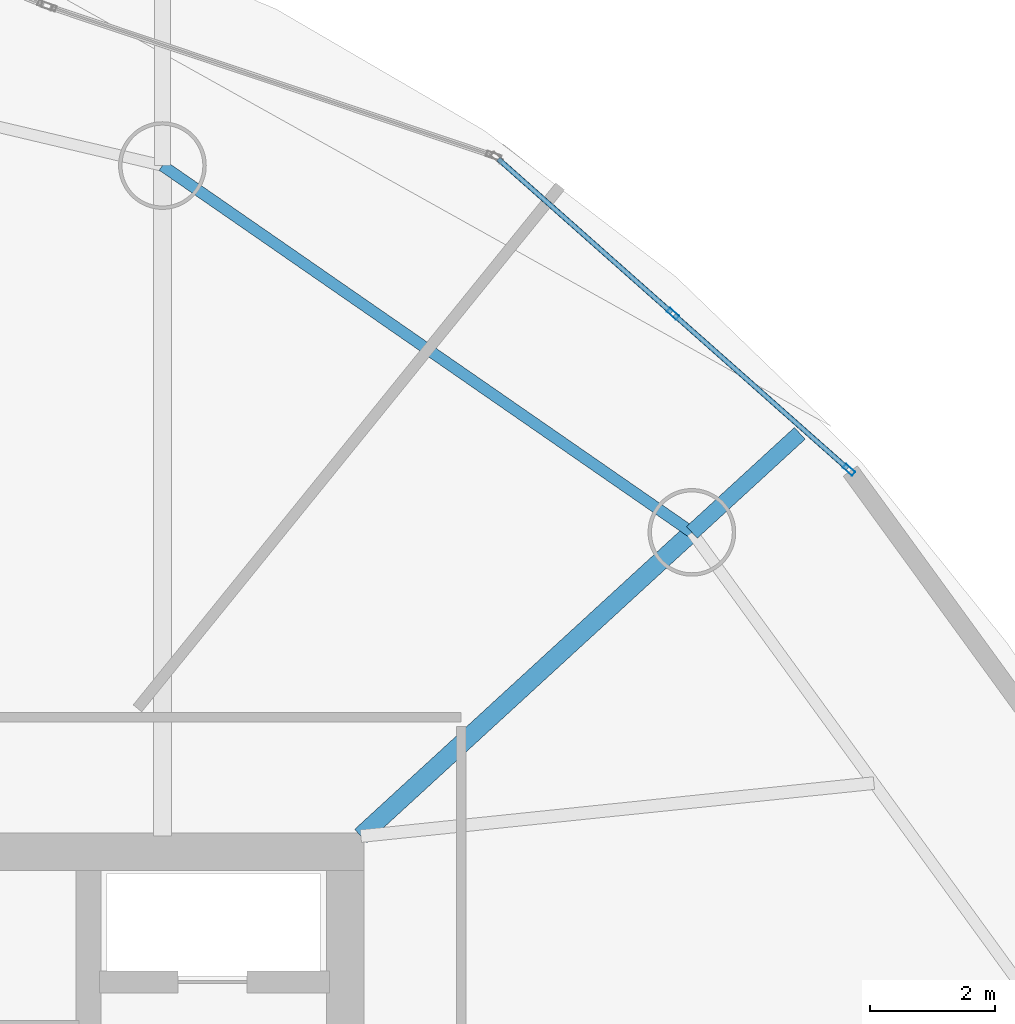
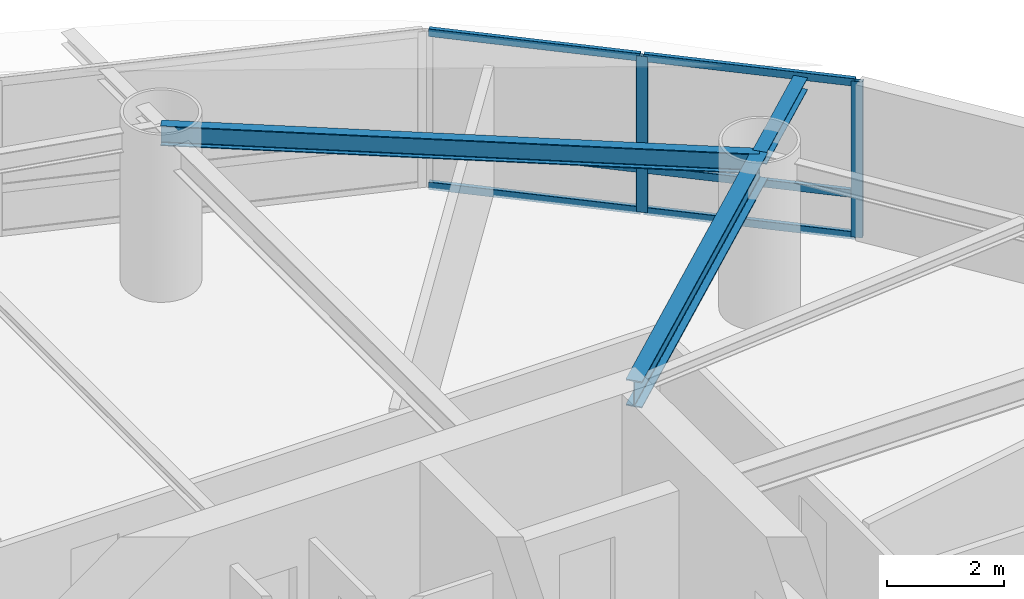
# One storey, part 11 of 20: 8 members, 3 beams, 1 element without a shape of its own.
"""IFC4 building model written with IfcOpenShell, lengths in metres."""

from ifc_helpers import new_model, si_unit, direction, frame, origin, origin_2d, place, context, subcontext, project, spatial, hollow_rectangle, i_section, extrude, material, layer, layer_set, material_profile, profile_set, type_object, element, aggregate, save


model = new_model("IFC4")

# Units and contexts
model_context = context("Model", 3, precision=1e-05, world=origin(), true_north=direction((0.0, 1.0)))
body_context = subcontext(model_context, "Body", "Model", "MODEL_VIEW")
ifc_project = project(units=[si_unit("LENGTHUNIT", "METRE"), si_unit("AREAUNIT", "SQUARE_METRE"), si_unit("VOLUMEUNIT", "CUBIC_METRE"), si_unit("PLANEANGLEUNIT", "RADIAN"), si_unit("MASSUNIT", "GRAM", prefix="KILO")], contexts=[model_context])

# Site, building, storey
site_placement = place(None, origin())
site = spatial("IfcSite", under=ifc_project, at=site_placement, CompositionType="ELEMENT")
building_placement = place(site_placement, origin())
building = spatial("IfcBuilding", under=site, at=building_placement, Name="Bramvorn Convention Spire", CompositionType="ELEMENT")
storey_placement = place(building_placement, frame((0.0, 0.0, 113.300048828125)))
storey = spatial("IfcBuildingStorey", under=building, at=storey_placement, Name="L27", CompositionType="ELEMENT", Elevation=113.300048828125)

# Beams
ifc_material_1 = material(Name="Steel CSA G40.21 Grade 350 (350W)", Category="steel")
ifc_material_profile_1 = material_profile(ifc_material_1, i_section(OverallWidth=0.25390625, OverallDepth=0.2529296875, WebThickness=0.008544921875, FlangeThickness=0.01416015625, FilletRadius=0.011962890625, at=origin_2d()))
ifc_profile_set_1 = profile_set([ifc_material_profile_1], Name="Steel CSA G40.21 Grade 350 (350W) - W250X73")
beam_type_1 = type_object("IfcBeamType", Name="BM-W250X73", PredefinedType="BEAM", material=ifc_profile_set_1)
beam_1_placement = place(storey_placement, frame((54.534912109375, 38.299072265625, 3.133544921875), z_axis=(0.736798510056, 0.676112383838, 0.0), x_axis=(-0.676112383838, 0.736798510056, 0.0)))
element("IfcBeam", 1, at=beam_1_placement, inside=storey, type_object=beam_type_1, Name="L27 slab-edge cantilever tip beam MC04", PredefinedType="BEAM", context=body_context, shape_type="SweptSolid", body=[
    extrude(i_section(OverallWidth=0.25390625, OverallDepth=0.2529296875, WebThickness=0.008544921875, FlangeThickness=0.01416015625, FilletRadius=0.011962890625, at=origin_2d()), origin(), (0.0, 0.0, 1.0), 2.33740234375),
])
ifc_material_profile_2 = material_profile(ifc_material_1, i_section(OverallWidth=0.180908203125, OverallDepth=0.4169921875, WebThickness=0.010986328125, FlangeThickness=0.018310546875, FilletRadius=0.01611328125, at=origin_2d()))
ifc_profile_set_2 = profile_set([ifc_material_profile_2], Name="Steel CSA G40.21 Grade 350 (350W) - W410X85")
beam_type_2 = type_object("IfcBeamType", Name="BM-W410X85", PredefinedType="JOIST", material=ifc_profile_set_2)
beam_2_placement = place(storey_placement, frame((54.534912109375, 38.299072265625, 3.051513671875), z_axis=(-0.822033166673, 0.569439613032, 0.0), x_axis=(-0.569439613032, -0.822033166673, 0.0)))
element("IfcBeam", 2, at=beam_2_placement, inside=storey, type_object=beam_type_2, Name="L27 mega-column ring beam 04", PredefinedType="JOIST", context=body_context, shape_type="SweptSolid", body=[
    extrude(i_section(OverallWidth=0.180908203125, OverallDepth=0.4169921875, WebThickness=0.010986328125, FlangeThickness=0.018310546875, FilletRadius=0.01611328125, at=origin_2d()), origin(), (0.0, 0.0, 1.0), 10.281982421875),
])
ifc_material_profile_3 = material_profile(ifc_material_1, i_section(OverallWidth=0.2919921875, OverallDepth=0.551025390625, WebThickness=0.01513671875, FlangeThickness=0.0244140625, FilletRadius=0.01904296875, at=origin_2d()))
ifc_profile_set_3 = profile_set([ifc_material_profile_3], Name="Steel CSA G40.21 Grade 350 (350W) - W530X182")
beam_type_3 = type_object("IfcBeamType", Name="BM-W530X182", PredefinedType="BEAM", material=ifc_profile_set_3)
beam_3_placement = place(storey_placement, frame((49.25, 33.449951171875, 2.984375), z_axis=(0.736833323746, 0.676074443399, 0.0), x_axis=(-0.676074443399, 0.736833323746, 0.0)))
element("IfcBeam", 3, at=beam_3_placement, inside=storey, type_object=beam_type_3, Name="L27 radial floor girder MC04", PredefinedType="BEAM", context=body_context, shape_type="SweptSolid", body=[
    extrude(i_section(OverallWidth=0.2919921875, OverallDepth=0.551025390625, WebThickness=0.01513671875, FlangeThickness=0.0244140625, FilletRadius=0.01904296875, at=origin_2d()), origin(), (0.0, 0.0, 1.0), 7.17236328125),
])

# Curtain wall, members
ifc_material_2 = material(Name="Anodised Bronze Unitised Curtain Wall", Category="aluminium")
ifc_layer = layer(ifc_material_2, 0.179931640625)
ifc_layer_set = layer_set([ifc_layer], Name="Anodised Bronze Unitised Curtain Wall - CW-HTL-FRIT")
curtain_wall_type = type_object("IfcCurtainWallType", Name="CW-HTL-FRIT", PredefinedType="USERDEFINED", material=ifc_layer_set)
curtain_wall_placement = place(storey_placement, origin())
curtain_wall = element("IfcCurtainWall", 4, at=curtain_wall_placement, inside=storey, type_object=curtain_wall_type, Name="L27 fritted glass curtain wall 05", ObjectType="UNITISED CURTAIN WALL", PredefinedType="USERDEFINED")
ifc_material_3 = material(Name="Anodised Bronze Aluminium 6063-T6", Category="aluminium")
ifc_material_profile_4 = material_profile(ifc_material_3, hollow_rectangle(XDim=0.080078125, YDim=0.199951171875, WallThickness=0.00390625, InnerFilletRadius=0.0009765625, OuterFilletRadius=0.00390625, at=origin_2d()))
ifc_profile_set_4 = profile_set([ifc_material_profile_4], Name="Anodised Bronze Aluminium 6063-T6 - CWM80X200")
member_type_1 = type_object("IfcMemberType", Name="CW-MUL-180", PredefinedType="MULLION", material=ifc_profile_set_4)
member_1_placement = place(storey_placement, frame((54.232177734375, 41.788330078125, 0.0), z_axis=(0.0, 0.0, 1.0), x_axis=(0.663278255362, 0.74837287228, 0.0)))
member_1 = element("IfcMember", 5, at=member_1_placement, type_object=member_type_1, Name="CW2 mullion 2", PredefinedType="MULLION", context=body_context, shape_type="SweptSolid", body=[
    extrude(hollow_rectangle(XDim=0.080078125, YDim=0.199951171875, WallThickness=0.00390625, InnerFilletRadius=0.0009765625, OuterFilletRadius=0.00390625, at=origin_2d()), origin(), (0.0, 0.0, 1.0), 3.260009765625),
])
member_2_placement = place(storey_placement, frame((57.0419921875, 39.2978515625, 0.0), z_axis=(0.0, 0.0, 1.0), x_axis=(0.663278255362, 0.74837287228, 0.0)))
member_2 = element("IfcMember", 6, at=member_2_placement, type_object=member_type_1, Name="CW2 mullion 3", PredefinedType="MULLION", context=body_context, shape_type="SweptSolid", body=[
    extrude(hollow_rectangle(XDim=0.080078125, YDim=0.199951171875, WallThickness=0.00390625, InnerFilletRadius=0.0009765625, OuterFilletRadius=0.00390625, at=origin_2d()), origin(), (0.0, 0.0, 1.0), 3.260009765625),
])
ifc_material_profile_5 = material_profile(ifc_material_3, hollow_rectangle(XDim=0.080078125, YDim=0.159912109375, WallThickness=0.00390625, InnerFilletRadius=0.0009765625, OuterFilletRadius=0.00390625, at=origin_2d()))
ifc_profile_set_5 = profile_set([ifc_material_profile_5], Name="Anodised Bronze Aluminium 6063-T6 - CWT80X160")
member_type_2 = type_object("IfcMemberType", Name="CW-TRN-150", PredefinedType="USERDEFINED", material=ifc_profile_set_5)
member_3_placement = place(storey_placement, frame((51.44482421875, 44.2587890625, 0.030029296875), z_axis=(0.74834917564, -0.663304991176, 0.0), x_axis=(0.663304991176, 0.74834917564, 0.0)))
member_3 = element("IfcMember", 7, at=member_3_placement, type_object=member_type_2, Name="CW2 transom 1.1", ObjectType="TRANSOM", PredefinedType="USERDEFINED", context=body_context, shape_type="SweptSolid", body=[
    extrude(hollow_rectangle(XDim=0.080078125, YDim=0.159912109375, WallThickness=0.00390625, InnerFilletRadius=0.0009765625, OuterFilletRadius=0.00390625, at=origin_2d()), origin(), (0.0, 0.0, 1.0), 3.694580078125),
])
member_4_placement = place(storey_placement, frame((51.44482421875, 44.2587890625, 0.89990234375), z_axis=(0.74834917564, -0.663304991176, 0.0), x_axis=(0.663304991176, 0.74834917564, 0.0)))
member_4 = element("IfcMember", 8, at=member_4_placement, type_object=member_type_2, Name="CW2 transom 1.2", ObjectType="TRANSOM", PredefinedType="USERDEFINED", context=body_context, shape_type="SweptSolid", body=[
    extrude(hollow_rectangle(XDim=0.080078125, YDim=0.159912109375, WallThickness=0.00390625, InnerFilletRadius=0.0009765625, OuterFilletRadius=0.00390625, at=origin_2d()), origin(), (0.0, 0.0, 1.0), 3.694580078125),
])
member_5_placement = place(storey_placement, frame((51.44482421875, 44.2587890625, 3.22998046875), z_axis=(0.74834917564, -0.663304991176, 0.0), x_axis=(0.663304991176, 0.74834917564, 0.0)))
member_5 = element("IfcMember", 9, at=member_5_placement, type_object=member_type_2, Name="CW2 transom 1.3", ObjectType="TRANSOM", PredefinedType="USERDEFINED", context=body_context, shape_type="SweptSolid", body=[
    extrude(hollow_rectangle(XDim=0.080078125, YDim=0.159912109375, WallThickness=0.00390625, InnerFilletRadius=0.0009765625, OuterFilletRadius=0.00390625, at=origin_2d()), origin(), (0.0, 0.0, 1.0), 3.694580078125),
])
member_6_placement = place(storey_placement, frame((54.254638671875, 41.768310546875, 0.030029296875), z_axis=(0.748381976901, -0.66326798253, 0.0), x_axis=(0.66326798253, 0.748381976901, 0.0)))
member_6 = element("IfcMember", 10, at=member_6_placement, type_object=member_type_2, Name="CW2 transom 2.1", ObjectType="TRANSOM", PredefinedType="USERDEFINED", context=body_context, shape_type="SweptSolid", body=[
    extrude(hollow_rectangle(XDim=0.080078125, YDim=0.159912109375, WallThickness=0.00390625, InnerFilletRadius=0.0009765625, OuterFilletRadius=0.00390625, at=origin_2d()), origin(), (0.0, 0.0, 1.0), 3.694580078125),
])
member_7_placement = place(storey_placement, frame((54.254638671875, 41.768310546875, 0.89990234375), z_axis=(0.748381976901, -0.66326798253, 0.0), x_axis=(0.66326798253, 0.748381976901, 0.0)))
member_7 = element("IfcMember", 11, at=member_7_placement, type_object=member_type_2, Name="CW2 transom 2.2", ObjectType="TRANSOM", PredefinedType="USERDEFINED", context=body_context, shape_type="SweptSolid", body=[
    extrude(hollow_rectangle(XDim=0.080078125, YDim=0.159912109375, WallThickness=0.00390625, InnerFilletRadius=0.0009765625, OuterFilletRadius=0.00390625, at=origin_2d()), origin(), (0.0, 0.0, 1.0), 3.694580078125),
])
member_8_placement = place(storey_placement, frame((54.254638671875, 41.768310546875, 3.22998046875), z_axis=(0.748381976901, -0.66326798253, 0.0), x_axis=(0.66326798253, 0.748381976901, 0.0)))
member_8 = element("IfcMember", 12, at=member_8_placement, type_object=member_type_2, Name="CW2 transom 2.3", ObjectType="TRANSOM", PredefinedType="USERDEFINED", context=body_context, shape_type="SweptSolid", body=[
    extrude(hollow_rectangle(XDim=0.080078125, YDim=0.159912109375, WallThickness=0.00390625, InnerFilletRadius=0.0009765625, OuterFilletRadius=0.00390625, at=origin_2d()), origin(), (0.0, 0.0, 1.0), 3.694580078125),
])
aggregate(curtain_wall, [member_1, member_2, member_3, member_4, member_5, member_6, member_7, member_8])

save(model, "model.ifc")
